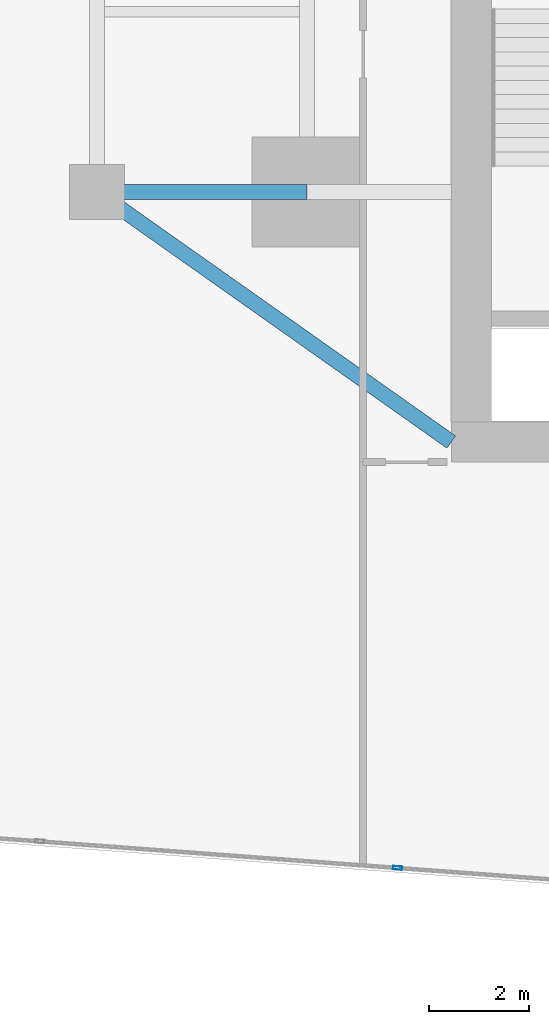
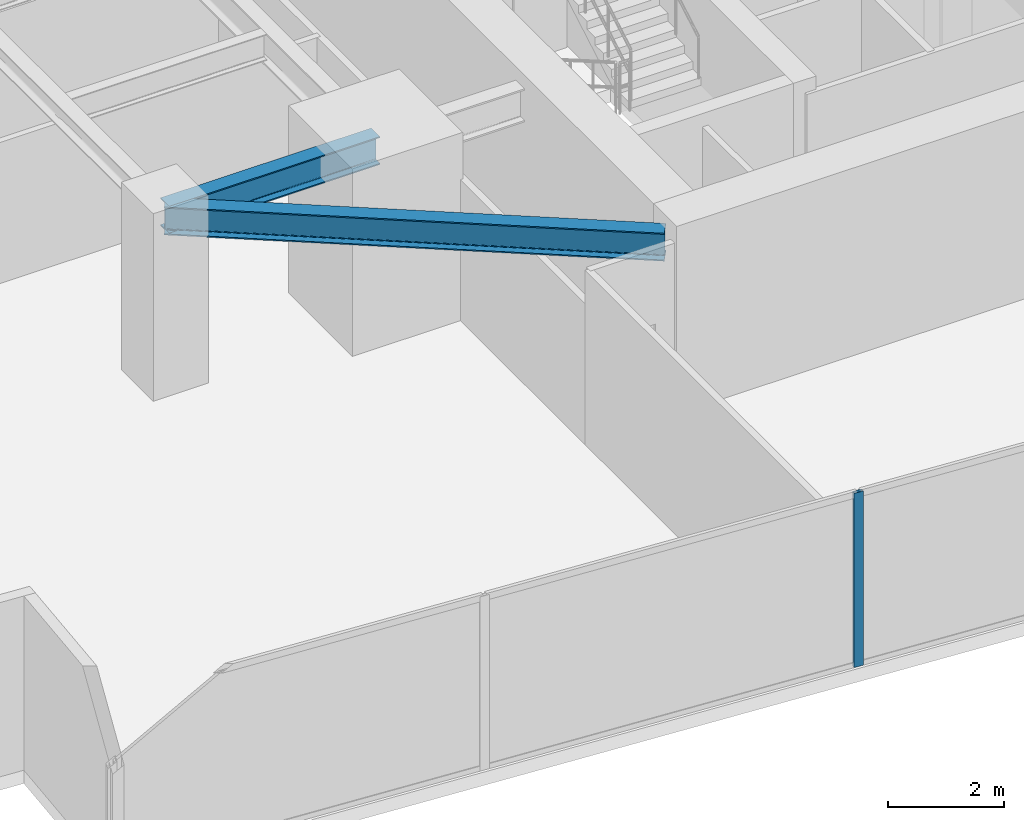
# One storey, part 5 of 30: 2 beams, 1 member, 1 element without a shape of its own.
"""IFC4 building model written with IfcOpenShell, lengths in metres."""

from ifc_helpers import new_model, si_unit, direction, frame, origin, origin_2d, place, context, subcontext, project, spatial, hollow_rectangle, i_section, extrude, source, transform, mapped, material, material_profile, profile_set, type_object, type_shapes, element, aggregate, save


model = new_model("IFC4")

# Units and contexts
model_context = context("Model", 3, precision=1e-05, world=origin(), true_north=direction((0.0, 1.0)))
body_context = subcontext(model_context, "Body", "Model", "MODEL_VIEW")
ifc_project = project(units=[si_unit("LENGTHUNIT", "METRE"), si_unit("AREAUNIT", "SQUARE_METRE"), si_unit("VOLUMEUNIT", "CUBIC_METRE"), si_unit("PLANEANGLEUNIT", "RADIAN"), si_unit("MASSUNIT", "GRAM", prefix="KILO")], contexts=[model_context])

# Site, building, storey
site_placement = place(None, origin())
site = spatial("IfcSite", under=ifc_project, at=site_placement, CompositionType="ELEMENT")
building_placement = place(site_placement, origin())
building = spatial("IfcBuilding", under=site, at=building_placement, Name="Krantzveldt Concourse Tower", CompositionType="ELEMENT")
storey_placement = place(building_placement, frame((0.0, 0.0, 52.64990234375)))
storey = spatial("IfcBuildingStorey", under=building, at=storey_placement, Name="L12", CompositionType="ELEMENT", Elevation=52.64990234375)

# Beams
ifc_material_1 = material(Name="Steel S355JR", Category="steel")
ifc_material_profile_1 = material_profile(ifc_material_1, i_section(OverallWidth=0.300048828125, OverallDepth=0.590087890625, WebThickness=0.012939453125, FlangeThickness=0.02490234375, FilletRadius=0.027099609375, at=origin_2d()), Name="Steel S355JR", Category="steel")
ifc_profile_set_1 = profile_set([ifc_material_profile_1], Name="Steel S355JR - HEA 600")
beam_type = type_object("IfcBeamType", Name="BM-B-HEA600", PredefinedType="BEAM", material=ifc_profile_set_1)
shared_shape_1 = source(origin(), body_context, "Body", "SweptSolid", [
    extrude(i_section(OverallWidth=0.300048828125, OverallDepth=0.590087890625, WebThickness=0.012939453125, FlangeThickness=0.02490234375, FilletRadius=0.027099609375, at=origin_2d()), origin(), (0.0, 0.0, 1.0), 4.199951171875),
])
beam_1_placement = place(storey_placement, frame((21.0, 15.89990234375, 3.375), z_axis=(1.0, 0.0, 0.0), x_axis=(0.0, 1.0, 0.0)))
element("IfcBeam", 1, at=beam_1_placement, inside=storey, type_object=beam_type, Name="L12 Tower Girder BR-RL1", PredefinedType="BEAM", context=body_context, shape_type="MappedRepresentation", body=[
    mapped(shared_shape_1, transform((0.0, 0.0, 0.0), x_axis=(1.0, 0.0, 0.0), y_axis=(0.0, 1.0, 0.0), z_axis=(0.0, 0.0, 1.0), scale=1.0)),
])
shared_shape_2 = source(origin(), body_context, "Body", "SweptSolid", [
    extrude(i_section(OverallWidth=0.300048828125, OverallDepth=0.590087890625, WebThickness=0.012939453125, FlangeThickness=0.02490234375, FilletRadius=0.027099609375, at=origin_2d()), origin(), (0.0, 0.0, 1.0), 8.667724609375),
])
type_shapes(beam_type, [shared_shape_1, shared_shape_2])
beam_2_placement = place(storey_placement, frame((21.0, 15.89990234375, 3.375), z_axis=(0.81684294656, -0.576860122261, 0.0), x_axis=(0.576860122261, 0.81684294656, 0.0)))
element("IfcBeam", 2, at=beam_2_placement, inside=storey, type_object=beam_type, Name="L12 Tower Girder BR-CSW", PredefinedType="BEAM", context=body_context, shape_type="MappedRepresentation", body=[
    mapped(shared_shape_2, transform((0.0, 0.0, 0.0), x_axis=(1.0, 0.0, 0.0), y_axis=(0.0, 1.0, 0.0), z_axis=(0.0, 0.0, 1.0), scale=1.0)),
])

# Curtain wall, member
ifc_material_2 = material(Name="Anodised aluminium 6063-T6", Category="aluminium")
curtain_wall_type = type_object("IfcCurtainWallType", Name="CW2", PredefinedType="USERDEFINED", material=ifc_material_2)
curtain_wall_placement = place(storey_placement, origin())
curtain_wall = element("IfcCurtainWall", 3, at=curtain_wall_placement, inside=storey, type_object=curtain_wall_type, Name="CW-L12-F04", ObjectType="UNITISED CURTAIN WALL", PredefinedType="USERDEFINED")
ifc_material_profile_2 = material_profile(ifc_material_2, hollow_rectangle(XDim=0.070068359375, YDim=0.179931640625, WallThickness=0.0048828125, at=origin_2d()), Name="Anodised aluminium 6063-T6", Category="aluminium")
ifc_profile_set_2 = profile_set([ifc_material_profile_2], Name="Anodised aluminium 6063-T6 - ALU-MULL 180x70x5")
member_type = type_object("IfcMemberType", Name="CW-MUL-180", PredefinedType="MULLION", material=ifc_profile_set_2)
shared_shape_3 = source(origin(), body_context, "Body", "SweptSolid", [
    extrude(hollow_rectangle(XDim=0.070068359375, YDim=0.179931640625, WallThickness=0.0048828125, at=origin_2d()), origin(), (0.0, 0.0, 1.0), 3.670166015625),
])
type_shapes(member_type, [shared_shape_3])
member_placement = place(storey_placement, frame((27.007080078125, 2.3896484375, 0.0), z_axis=(0.0, 0.0, 1.0), x_axis=(0.07410860051, 0.997250176902, 0.0)))
member = element("IfcMember", 4, at=member_placement, type_object=member_type, Name="CW-Z12 mullion 3", PredefinedType="MULLION", context=body_context, shape_type="MappedRepresentation", body=[
    mapped(shared_shape_3, transform((0.0, 0.0, 0.0), x_axis=(1.0, 0.0, 0.0), y_axis=(0.0, 1.0, 0.0), z_axis=(0.0, 0.0, 1.0), scale=1.0)),
])
aggregate(curtain_wall, [member])

save(model, "model.ifc")
